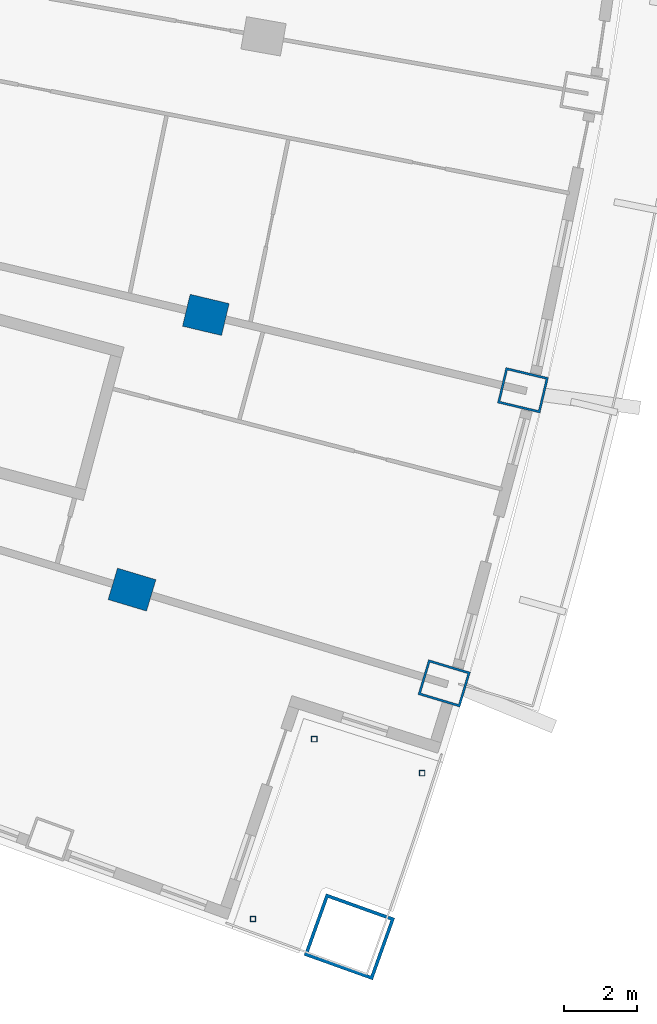
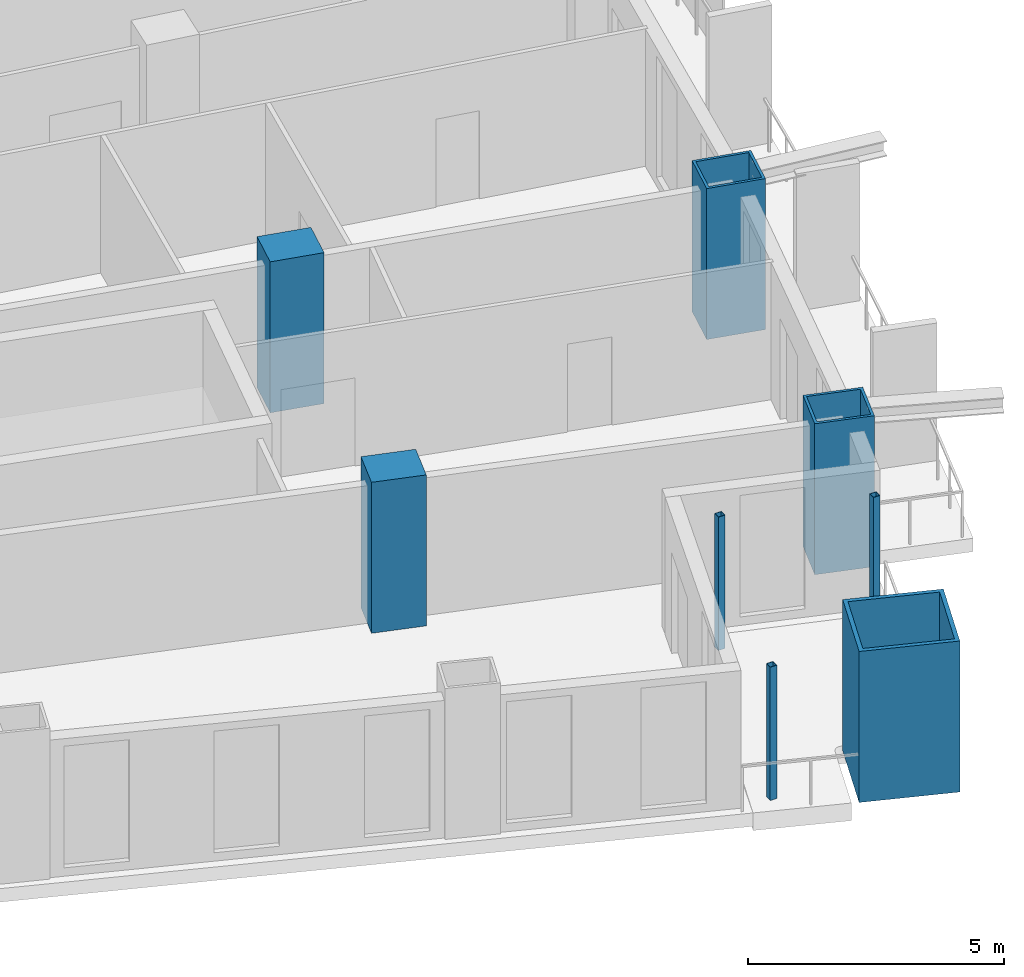
# One storey, part 5 of 25: 8 columns.
"""IFC4 building model written with IfcOpenShell, lengths in metres."""

from ifc_helpers import new_model, si_unit, direction, frame, origin, origin_2d, place, context, subcontext, project, spatial, rectangle, hollow_rectangle, extrude, material, material_profile, profile_set, type_object, element, save


model = new_model("IFC4")

# Units and contexts
model_context = context("Model", 3, precision=1e-05, world=origin(), true_north=direction((0.0, 1.0)))
body_context = subcontext(model_context, "Body", "Model", "MODEL_VIEW")
ifc_project = project(units=[si_unit("LENGTHUNIT", "METRE"), si_unit("AREAUNIT", "SQUARE_METRE"), si_unit("VOLUMEUNIT", "CUBIC_METRE"), si_unit("PLANEANGLEUNIT", "RADIAN"), si_unit("MASSUNIT", "GRAM", prefix="KILO")], contexts=[model_context])

# Site, building, storey
site_placement = place(None, origin())
site = spatial("IfcSite", under=ifc_project, at=site_placement, CompositionType="ELEMENT")
building_placement = place(site_placement, origin())
building = spatial("IfcBuilding", under=site, at=building_placement, Name="Alderwake Tower", CompositionType="ELEMENT")
storey_placement = place(building_placement, frame((0.0, 0.0, 57.199951171875)))
storey = spatial("IfcBuildingStorey", under=building, at=storey_placement, Name="L13", CompositionType="ELEMENT", Elevation=57.199951171875)

# Columns
ifc_material_1 = material(Name="Concrete C70/85", Category="concrete")
ifc_material_profile_1 = material_profile(ifc_material_1, rectangle(XDim=0.89990234375, YDim=1.10009765625, at=origin_2d()), Name="RC 1100X900")
ifc_profile_set_1 = profile_set([ifc_material_profile_1], Name="Concrete C70/85")
column_type_1 = type_object("IfcColumnType", Name="Interior column Z1", PredefinedType="COLUMN", material=ifc_profile_set_1)
for number, where, z_axis, x_axis, name in (
    (1, (48.021484375, 22.564208984375, 0.0), (0.0, 0.0, 1.0), (0.287549418125, 0.957765802342, 0.0), "Column R02-C4"),
    (2, (50.04443359375, 30.09326171875, 0.0), (0.0, 0.0, 1.0), (0.231221547198, 0.972901123502, 0.0), "Column R03-C4"),
):
    element("IfcColumn", number, at=place(storey_placement, frame(where, z_axis=z_axis, x_axis=x_axis)), inside=storey, type_object=column_type_1, Name=name, PredefinedType="COLUMN", context=body_context, shape_type="SweptSolid", body=[
        extrude(rectangle(XDim=0.89990234375, YDim=1.10009765625, at=origin_2d()), origin(), (0.0, 0.0, 1.0), 3.60009765625),
    ])
ifc_material_2 = material(Name="Steel ASTM A500 Grade C", Category="steel")
ifc_material_profile_2 = material_profile(ifc_material_2, hollow_rectangle(XDim=0.15234375, YDim=0.15234375, WallThickness=0.0087890625, at=origin_2d()), Name="HSS6X6X3/8")
ifc_profile_set_2 = profile_set([ifc_material_profile_2], Name="Steel ASTM A500 Grade C")
column_type_2 = type_object("IfcColumnType", Name="Light post HSS6X6X3/8", PredefinedType="COLUMN", material=ifc_profile_set_2)
for number, where, z_axis, x_axis, name in (
    (3, (55.9716796875, 17.5341796875, 0.0), (0.0, 0.0, 1.0), (1.0, 0.0, 0.0), "Terrace post FS1"),
    (4, (51.3369140625, 13.537353515625, 0.0), (0.0, 0.0, 1.0), (1.0, 0.0, 0.0), "Terrace post FS2"),
    (5, (53.015869140625, 18.46875, 0.0), (0.0, 0.0, 1.0), (1.0, 0.0, 0.0), "Terrace post FS3"),
):
    element("IfcColumn", number, at=place(storey_placement, frame(where, z_axis=z_axis, x_axis=x_axis)), inside=storey, type_object=column_type_2, Name=name, PredefinedType="COLUMN", context=body_context, shape_type="SweptSolid", body=[
        extrude(hollow_rectangle(XDim=0.15234375, YDim=0.15234375, WallThickness=0.0087890625, at=origin_2d()), origin(), (0.0, 0.0, 1.0), 3.179931640625),
    ])
ifc_material_3 = material(Name="Steel ASTM A572 Grade 50 concrete filled C70/85", Category="concrete")
ifc_material_profile_3 = material_profile(ifc_material_3, hollow_rectangle(XDim=1.800048828125, YDim=2.0, WallThickness=0.090087890625, at=origin_2d()), Name="BOX 2000X1800X90")
ifc_profile_set_3 = profile_set([ifc_material_profile_3], Name="Steel ASTM A572 Grade 50 concrete filled C70/85")
column_type_3 = type_object("IfcColumnType", Name="Mega column Z1", PredefinedType="COLUMN", material=ifc_profile_set_3)
column_placement = place(storey_placement, frame((53.97802734375, 13.05029296875, 0.0), z_axis=(0.0, 0.0, 1.0), x_axis=(0.336962157792, 0.941518191123, 0.0)))
element("IfcColumn", 6, at=column_placement, inside=storey, type_object=column_type_3, Name="Column R01-C5", PredefinedType="COLUMN", context=body_context, shape_type="SweptSolid", body=[
    extrude(hollow_rectangle(XDim=1.800048828125, YDim=2.0, WallThickness=0.090087890625, at=origin_2d()), origin(), (0.0, 0.0, 1.0), 3.60009765625),
])
ifc_material_4 = material(Name="Steel ASTM A572 Grade 50 concrete filled C70/85", Category="concrete")
ifc_material_profile_4 = material_profile(ifc_material_4, hollow_rectangle(XDim=1.0, YDim=1.199951171875, WallThickness=0.06005859375, at=origin_2d()), Name="BOX 1200X1000X60")
ifc_profile_set_4 = profile_set([ifc_material_profile_4], Name="Steel ASTM A572 Grade 50 concrete filled C70/85")
column_type_4 = type_object("IfcColumnType", Name="Perimeter column Z1", PredefinedType="COLUMN", material=ifc_profile_set_4)
for number, where, z_axis, x_axis, name in (
    (7, (56.577392578125, 19.99560546875, 0.0), (0.0, 0.0, 1.0), (0.287549418125, 0.957765802342, 0.0), "Column R02-C5"),
    (8, (58.735595703125, 28.02783203125, 0.0), (0.0, 0.0, 1.0), (0.231221547198, 0.972901123502, 0.0), "Column R03-C5"),
):
    element("IfcColumn", number, at=place(storey_placement, frame(where, z_axis=z_axis, x_axis=x_axis)), inside=storey, type_object=column_type_4, Name=name, PredefinedType="COLUMN", context=body_context, shape_type="SweptSolid", body=[
        extrude(hollow_rectangle(XDim=1.0, YDim=1.199951171875, WallThickness=0.06005859375, at=origin_2d()), origin(), (0.0, 0.0, 1.0), 3.60009765625),
    ])

save(model, "model.ifc")
